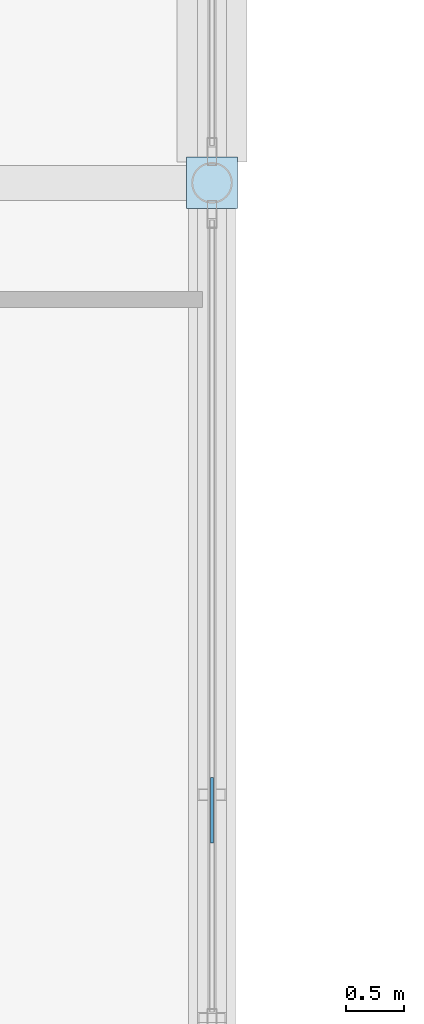
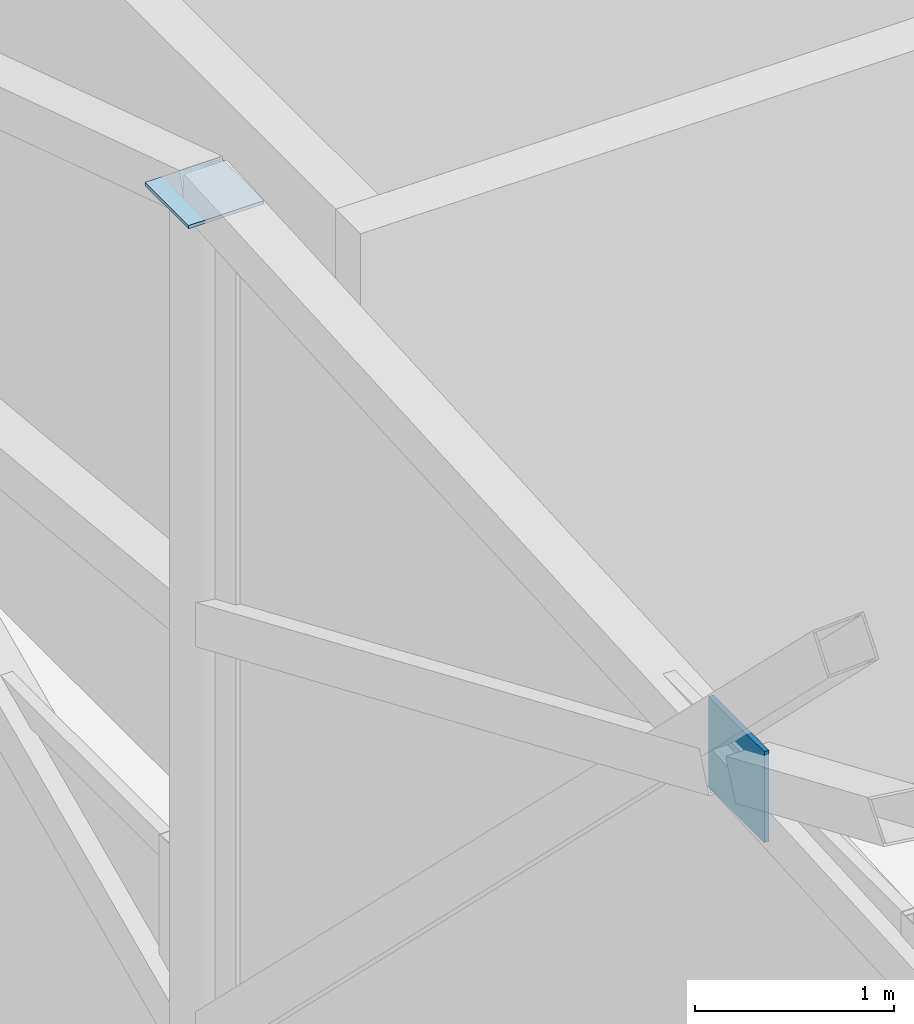
# One storey, part 143 of 220: 2 plates.
"""IFC4 building model written with IfcOpenShell, lengths in metres."""

from ifc_helpers import new_model, si_unit, direction, frame, origin, origin_2d, place, context, subcontext, project, spatial, rectangle, extrude, material, layer, layer_set, type_object, element, save


model = new_model("IFC4")

# Units and contexts
model_context = context("Model", 3, precision=1e-05, world=origin(), true_north=direction((0.0, 1.0)))
body_context = subcontext(model_context, "Body", "Model", "MODEL_VIEW")
ifc_project = project(units=[si_unit("LENGTHUNIT", "METRE"), si_unit("AREAUNIT", "SQUARE_METRE"), si_unit("VOLUMEUNIT", "CUBIC_METRE"), si_unit("PLANEANGLEUNIT", "RADIAN"), si_unit("MASSUNIT", "GRAM", prefix="KILO")], contexts=[model_context])

# Site, building, storey
site_placement = place(None, origin())
site = spatial("IfcSite", under=ifc_project, at=site_placement, CompositionType="ELEMENT")
building_placement = place(site_placement, origin())
building = spatial("IfcBuilding", under=site, at=building_placement, Name="Cendralis Lancet Convention Centre", CompositionType="ELEMENT")
storey_placement = place(building_placement, frame((0.0, 0.0, 5.39990234375)))
storey = spatial("IfcBuildingStorey", under=building, at=storey_placement, Name="L01", CompositionType="ELEMENT", Elevation=5.39990234375)

# Plates
ifc_material = material(Name="Steel S355", Category="steel")
ifc_layer_1 = layer(ifc_material, 0.02001953125, Name="Steel S355")
ifc_layer_set_1 = layer_set([ifc_layer_1], Name="Steel S355")
plate_type_1 = type_object("IfcPlateType", Name="STR-PL-CC20", PredefinedType="USERDEFINED", material=ifc_layer_set_1)
plate_1_placement = place(storey_placement, frame((122.39990234375, 122.39990234375, 11.0009765625), z_axis=(0.0, 0.0, 1.0), x_axis=(1.0, 0.0, 0.0)))
element("IfcPlate", 1, at=plate_1_placement, inside=storey, type_object=plate_type_1, Name="Hollow Column Top Cap Plate L01 #010", ObjectType="GUSSET PLATE", PredefinedType="USERDEFINED", context=body_context, shape_type="SweptSolid", body=[
    extrude(rectangle(XDim=0.43994140625, YDim=0.43994140625, at=origin_2d()), origin(), (0.0, 0.0, 1.0), 0.02001953125),
])
ifc_layer_2 = layer(ifc_material, 0.028076171875, Name="Steel S355")
ifc_layer_set_2 = layer_set([ifc_layer_2], Name="Steel S355")
plate_type_2 = type_object("IfcPlateType", Name="STR-PL-GP28B", PredefinedType="USERDEFINED", material=ifc_layer_set_2)
plate_2_placement = place(storey_placement, frame((122.39990234375, 117.02099609375, 10.454345703125), z_axis=(0.0, 0.0, 1.0), x_axis=(0.0, 1.0, 0.0)))
element("IfcPlate", 2, at=plate_2_placement, inside=storey, type_object=plate_type_2, Name="Gable X-Brace Crossing Gusset Node Plate GP-28B 122-108", ObjectType="GUSSET PLATE", PredefinedType="USERDEFINED", context=body_context, shape_type="SweptSolid", body=[
    extrude(rectangle(XDim=0.56005859375, YDim=0.028076171875, at=origin_2d()), origin(), (0.0, 0.0, 1.0), 0.56005859375),
])

save(model, "model.ifc")
